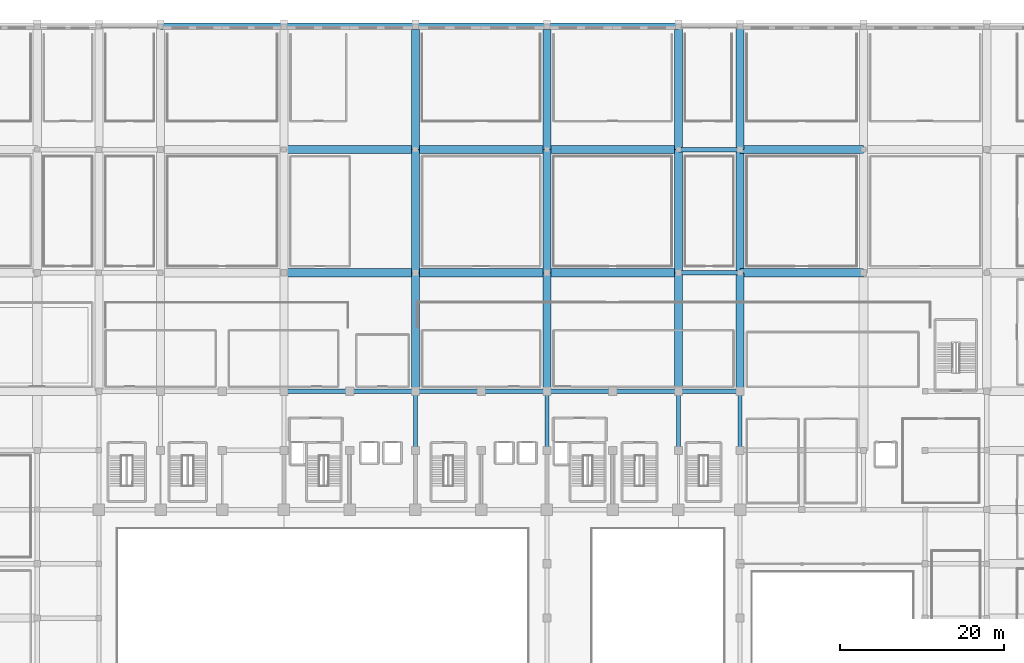
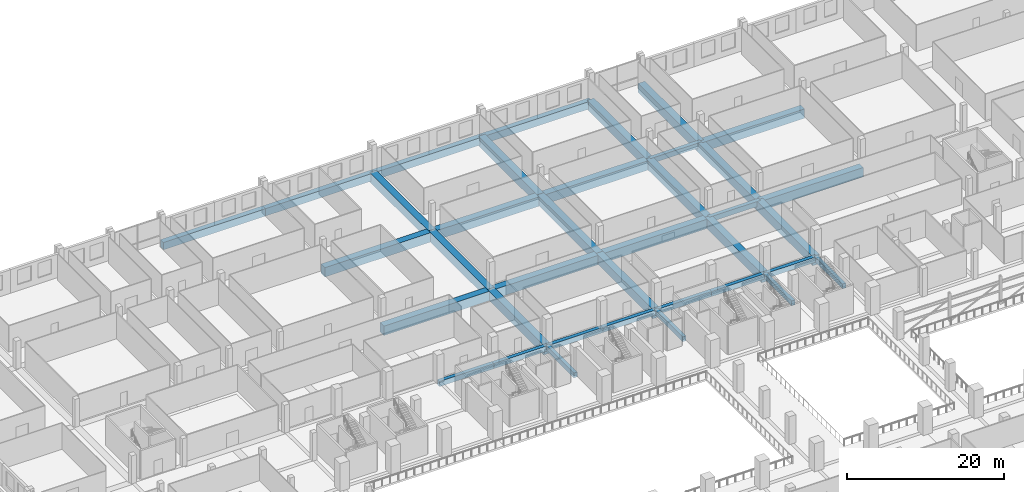
# One storey, part 29 of 64: 37 beams.
"""IFC4 building model written with IfcOpenShell, lengths in metres."""

from ifc_helpers import new_model, si_unit, direction, frame, origin, origin_2d, place, context, subcontext, project, spatial, rectangle, extrude, material, material_profile, profile_set, type_object, element, save


model = new_model("IFC4")

# Units and contexts
model_context = context("Model", 3, precision=1e-05, world=origin(), true_north=direction((0.0, 1.0)))
body_context = subcontext(model_context, "Body", "Model", "MODEL_VIEW")
ifc_project = project(units=[si_unit("LENGTHUNIT", "METRE"), si_unit("AREAUNIT", "SQUARE_METRE"), si_unit("VOLUMEUNIT", "CUBIC_METRE"), si_unit("PLANEANGLEUNIT", "RADIAN"), si_unit("MASSUNIT", "GRAM", prefix="KILO")], contexts=[model_context])

# Site, building, storey
site_placement = place(None, origin())
site = spatial("IfcSite", under=ifc_project, at=site_placement, CompositionType="ELEMENT")
building_placement = place(site_placement, origin())
building = spatial("IfcBuilding", under=site, at=building_placement, Name="Akrevak Sports Hall", CompositionType="ELEMENT")
storey_placement = place(building_placement, frame((0.0, 0.0, 4.60009765625)))
storey = spatial("IfcBuildingStorey", under=building, at=storey_placement, Name="L01", CompositionType="ELEMENT", Elevation=4.60009765625)

# Beams
ifc_material_1 = material(Name="Concrete C50/60", Category="concrete")
ifc_material_profile_1 = material_profile(ifc_material_1, rectangle(XDim=1.0, YDim=1.449951171875, at=origin_2d()), Name="BM 1000x1450", Category="concrete")
ifc_profile_set_1 = profile_set([ifc_material_profile_1], Name="Concrete C50/60")
beam_type_1 = type_object("IfcBeamType", Name="STR-BM-LG1000x1450", PredefinedType="BEAM", material=ifc_profile_set_1)
for number, where, z_axis, x_axis, name in (
    (1, (60.0, 84.0, -0.72509765625), (1.0, 0.0, 0.0), (0.0, 1.0, 0.0), "Girder M/9-11 (L01)"),
    (2, (76.0, 84.0, -0.72509765625), (1.0, 0.0, 0.0), (0.0, 1.0, 0.0), "Girder M/11-13 (L01)"),
    (3, (92.0, 84.0, -0.72509765625), (1.0, 0.0, 0.0), (0.0, 1.0, 0.0), "Girder M/13-15 (L01)"),
):
    element("IfcBeam", number, at=place(storey_placement, frame(where, z_axis=z_axis, x_axis=x_axis)), inside=storey, type_object=beam_type_1, Name=name, PredefinedType="BEAM", context=body_context, shape_type="SweptSolid", body=[
        extrude(rectangle(XDim=1.0, YDim=1.449951171875, at=origin_2d()), origin(), (0.0, 0.0, 1.0), 16.0),
    ])
beam_1_placement = place(storey_placement, frame((115.5, 84.0, -0.72509765625), z_axis=(1.0, 0.0, 0.0), x_axis=(0.0, 1.0, 0.0)))
element("IfcBeam", 4, at=beam_1_placement, inside=storey, type_object=beam_type_1, Name="Girder M/16-18 (L01)", PredefinedType="BEAM", context=body_context, shape_type="SweptSolid", body=[
    extrude(rectangle(XDim=1.0, YDim=1.449951171875, at=origin_2d()), origin(), (0.0, 0.0, 1.0), 15.0),
])
for number, where, z_axis, x_axis, name in (
    (5, (60.0, 99.0, -0.72509765625), (1.0, 0.0, 0.0), (0.0, 1.0, 0.0), "Girder O/9-11 (L01)"),
    (6, (76.0, 99.0, -0.72509765625), (1.0, 0.0, 0.0), (0.0, 1.0, 0.0), "Girder O/11-13 (L01)"),
    (7, (92.0, 99.0, -0.72509765625), (1.0, 0.0, 0.0), (0.0, 1.0, 0.0), "Girder O/13-15 (L01)"),
):
    element("IfcBeam", number, at=place(storey_placement, frame(where, z_axis=z_axis, x_axis=x_axis)), inside=storey, type_object=beam_type_1, Name=name, PredefinedType="BEAM", context=body_context, shape_type="SweptSolid", body=[
        extrude(rectangle(XDim=1.0, YDim=1.449951171875, at=origin_2d()), origin(), (0.0, 0.0, 1.0), 16.0),
    ])
beam_2_placement = place(storey_placement, frame((115.5, 99.0, -0.72509765625), z_axis=(1.0, 0.0, 0.0), x_axis=(0.0, 1.0, 0.0)))
element("IfcBeam", 8, at=beam_2_placement, inside=storey, type_object=beam_type_1, Name="Girder O/16-18 (L01)", PredefinedType="BEAM", context=body_context, shape_type="SweptSolid", body=[
    extrude(rectangle(XDim=1.0, YDim=1.449951171875, at=origin_2d()), origin(), (0.0, 0.0, 1.0), 15.0),
])
beam_3_placement = place(storey_placement, frame((76.0, 69.60009765625, -0.72509765625), z_axis=(0.0, 1.0, 0.0), x_axis=(-1.0, 0.0, 0.0)))
element("IfcBeam", 9, at=beam_3_placement, inside=storey, type_object=beam_type_1, Name="Girder 11/K-M (L01)", PredefinedType="BEAM", context=body_context, shape_type="SweptSolid", body=[
    extrude(rectangle(XDim=1.0, YDim=1.449951171875, at=origin_2d()), origin(), (0.0, 0.0, 1.0), 14.39990234375),
])
for number, where, z_axis, x_axis, name in (
    (10, (76.0, 84.0, -0.72509765625), (0.0, 1.0, 0.0), (-1.0, 0.0, 0.0), "Girder 11/M-O (L01)"),
    (11, (76.0, 99.0, -0.72509765625), (0.0, 1.0, 0.0), (-1.0, 0.0, 0.0), "Girder 11/O-Q (L01)"),
):
    element("IfcBeam", number, at=place(storey_placement, frame(where, z_axis=z_axis, x_axis=x_axis)), inside=storey, type_object=beam_type_1, Name=name, PredefinedType="BEAM", context=body_context, shape_type="SweptSolid", body=[
        extrude(rectangle(XDim=1.0, YDim=1.449951171875, at=origin_2d()), origin(), (0.0, 0.0, 1.0), 15.0),
    ])
beam_4_placement = place(storey_placement, frame((92.0, 69.60009765625, -0.72509765625), z_axis=(0.0, 1.0, 0.0), x_axis=(-1.0, 0.0, 0.0)))
element("IfcBeam", 12, at=beam_4_placement, inside=storey, type_object=beam_type_1, Name="Girder 13/K-M (L01)", PredefinedType="BEAM", context=body_context, shape_type="SweptSolid", body=[
    extrude(rectangle(XDim=1.0, YDim=1.449951171875, at=origin_2d()), origin(), (0.0, 0.0, 1.0), 14.39990234375),
])
for number, where, z_axis, x_axis, name in (
    (13, (92.0, 84.0, -0.72509765625), (0.0, 1.0, 0.0), (-1.0, 0.0, 0.0), "Girder 13/M-O (L01)"),
    (14, (92.0, 99.0, -0.72509765625), (0.0, 1.0, 0.0), (-1.0, 0.0, 0.0), "Girder 13/O-Q (L01)"),
):
    element("IfcBeam", number, at=place(storey_placement, frame(where, z_axis=z_axis, x_axis=x_axis)), inside=storey, type_object=beam_type_1, Name=name, PredefinedType="BEAM", context=body_context, shape_type="SweptSolid", body=[
        extrude(rectangle(XDim=1.0, YDim=1.449951171875, at=origin_2d()), origin(), (0.0, 0.0, 1.0), 15.0),
    ])
beam_5_placement = place(storey_placement, frame((108.0, 69.60009765625, -0.72509765625), z_axis=(0.0, 1.0, 0.0), x_axis=(-1.0, 0.0, 0.0)))
element("IfcBeam", 15, at=beam_5_placement, inside=storey, type_object=beam_type_1, Name="Girder 15/K-M (L01)", PredefinedType="BEAM", context=body_context, shape_type="SweptSolid", body=[
    extrude(rectangle(XDim=1.0, YDim=1.449951171875, at=origin_2d()), origin(), (0.0, 0.0, 1.0), 14.39990234375),
])
for number, where, z_axis, x_axis, name in (
    (16, (108.0, 84.0, -0.72509765625), (0.0, 1.0, 0.0), (-1.0, 0.0, 0.0), "Girder 15/M-O (L01)"),
    (17, (108.0, 99.0, -0.72509765625), (0.0, 1.0, 0.0), (-1.0, 0.0, 0.0), "Girder 15/O-Q (L01)"),
):
    element("IfcBeam", number, at=place(storey_placement, frame(where, z_axis=z_axis, x_axis=x_axis)), inside=storey, type_object=beam_type_1, Name=name, PredefinedType="BEAM", context=body_context, shape_type="SweptSolid", body=[
        extrude(rectangle(XDim=1.0, YDim=1.449951171875, at=origin_2d()), origin(), (0.0, 0.0, 1.0), 15.0),
    ])
beam_6_placement = place(storey_placement, frame((115.5, 69.60009765625, -0.72509765625), z_axis=(0.0, 1.0, 0.0), x_axis=(-1.0, 0.0, 0.0)))
element("IfcBeam", 18, at=beam_6_placement, inside=storey, type_object=beam_type_1, Name="Girder 16/K-M (L01)", PredefinedType="BEAM", context=body_context, shape_type="SweptSolid", body=[
    extrude(rectangle(XDim=1.0, YDim=1.449951171875, at=origin_2d()), origin(), (0.0, 0.0, 1.0), 14.39990234375),
])
for number, where, z_axis, x_axis, name in (
    (19, (115.5, 84.0, -0.72509765625), (0.0, 1.0, 0.0), (-1.0, 0.0, 0.0), "Girder 16/M-O (L01)"),
    (20, (115.5, 99.0, -0.72509765625), (0.0, 1.0, 0.0), (-1.0, 0.0, 0.0), "Girder 16/O-Q (L01)"),
):
    element("IfcBeam", number, at=place(storey_placement, frame(where, z_axis=z_axis, x_axis=x_axis)), inside=storey, type_object=beam_type_1, Name=name, PredefinedType="BEAM", context=body_context, shape_type="SweptSolid", body=[
        extrude(rectangle(XDim=1.0, YDim=1.449951171875, at=origin_2d()), origin(), (0.0, 0.0, 1.0), 15.0),
    ])
ifc_material_2 = material(Name="Concrete C40/50", Category="concrete")
ifc_material_profile_2 = material_profile(ifc_material_2, rectangle(XDim=0.5, YDim=0.75, at=origin_2d()), Name="BM 500x750", Category="concrete")
ifc_profile_set_2 = profile_set([ifc_material_profile_2], Name="Concrete C40/50")
beam_type_2 = type_object("IfcBeamType", Name="STR-BM-RC500x750", PredefinedType="BEAM", material=ifc_profile_set_2)
for number, where, z_axis, x_axis, name in (
    (21, (76.0, 62.39990234375, -0.375), (0.0, 1.0, 0.0), (-1.0, 0.0, 0.0), "Girder 11/J-K (L01)"),
    (22, (92.0, 62.39990234375, -0.375), (0.0, 1.0, 0.0), (-1.0, 0.0, 0.0), "Girder 13/J-K (L01)"),
    (23, (108.0, 62.39990234375, -0.375), (0.0, 1.0, 0.0), (-1.0, 0.0, 0.0), "Girder 15/J-K (L01)"),
    (24, (115.5, 62.39990234375, -0.375), (0.0, 1.0, 0.0), (-1.0, 0.0, 0.0), "Girder 16/J-K (L01)"),
):
    element("IfcBeam", number, at=place(storey_placement, frame(where, z_axis=z_axis, x_axis=x_axis)), inside=storey, type_object=beam_type_2, Name=name, PredefinedType="BEAM", context=body_context, shape_type="SweptSolid", body=[
        extrude(rectangle(XDim=0.5, YDim=0.75, at=origin_2d()), origin(), (0.0, 0.0, 1.0), 7.2001953125),
    ])
ifc_material_profile_3 = material_profile(ifc_material_2, rectangle(XDim=0.550048828125, YDim=0.800048828125, at=origin_2d()), Name="BM 550x800", Category="concrete")
ifc_profile_set_3 = profile_set([ifc_material_profile_3], Name="Concrete C40/50")
beam_type_3 = type_object("IfcBeamType", Name="STR-BM-RC550x800", PredefinedType="BEAM", material=ifc_profile_set_3)
for number, where, z_axis, x_axis, name in (
    (25, (60.0, 69.60009765625, -0.400146484375), (1.0, 0.0, 0.0), (0.0, 1.0, 0.0), "Girder K/9-10 (L01)"),
    (26, (68.0, 69.60009765625, -0.400146484375), (1.0, 0.0, 0.0), (0.0, 1.0, 0.0), "Girder K/10-11 (L01)"),
    (27, (76.0, 69.60009765625, -0.400146484375), (1.0, 0.0, 0.0), (0.0, 1.0, 0.0), "Girder K/11-12 (L01)"),
    (28, (84.0, 69.60009765625, -0.400146484375), (1.0, 0.0, 0.0), (0.0, 1.0, 0.0), "Girder K/12-13 (L01)"),
    (29, (92.0, 69.60009765625, -0.400146484375), (1.0, 0.0, 0.0), (0.0, 1.0, 0.0), "Girder K/13-14 (L01)"),
    (30, (100.0, 69.60009765625, -0.400146484375), (1.0, 0.0, 0.0), (0.0, 1.0, 0.0), "Girder K/14-15 (L01)"),
):
    element("IfcBeam", number, at=place(storey_placement, frame(where, z_axis=z_axis, x_axis=x_axis)), inside=storey, type_object=beam_type_3, Name=name, PredefinedType="BEAM", context=body_context, shape_type="SweptSolid", body=[
        extrude(rectangle(XDim=0.550048828125, YDim=0.800048828125, at=origin_2d()), origin(), (0.0, 0.0, 1.0), 8.0),
    ])
for number, where, z_axis, x_axis, name in (
    (31, (108.0, 69.60009765625, -0.400146484375), (1.0, 0.0, 0.0), (0.0, 1.0, 0.0), "Girder K/15-16 (L01)"),
    (32, (108.0, 84.0, -0.400146484375), (1.0, 0.0, 0.0), (0.0, 1.0, 0.0), "Girder M/15-16 (L01)"),
    (33, (108.0, 99.0, -0.400146484375), (1.0, 0.0, 0.0), (0.0, 1.0, 0.0), "Girder O/15-16 (L01)"),
):
    element("IfcBeam", number, at=place(storey_placement, frame(where, z_axis=z_axis, x_axis=x_axis)), inside=storey, type_object=beam_type_3, Name=name, PredefinedType="BEAM", context=body_context, shape_type="SweptSolid", body=[
        extrude(rectangle(XDim=0.550048828125, YDim=0.800048828125, at=origin_2d()), origin(), (0.0, 0.0, 1.0), 7.5),
    ])
ifc_material_profile_4 = material_profile(ifc_material_1, rectangle(XDim=0.75, YDim=1.14990234375, at=origin_2d()), Name="SPD 750x1150", Category="concrete")
ifc_profile_set_4 = profile_set([ifc_material_profile_4], Name="Concrete C50/60")
beam_type_4 = type_object("IfcBeamType", Name="STR-SPD-LSP750x1150", PredefinedType="SPANDREL", material=ifc_profile_set_4)
beam_7_placement = place(storey_placement, frame((45.0, 114.0, -0.5751953125), z_axis=(1.0, 0.0, 0.0), x_axis=(0.0, 1.0, 0.0)))
element("IfcBeam", 34, at=beam_7_placement, inside=storey, type_object=beam_type_4, Name="Girder Q/7-9 (L01)", PredefinedType="SPANDREL", context=body_context, shape_type="SweptSolid", body=[
    extrude(rectangle(XDim=0.75, YDim=1.14990234375, at=origin_2d()), origin(), (0.0, 0.0, 1.0), 15.0),
])
for number, where, z_axis, x_axis, name in (
    (35, (60.0, 114.0, -0.5751953125), (1.0, 0.0, 0.0), (0.0, 1.0, 0.0), "Girder Q/9-11 (L01)"),
    (36, (76.0, 114.0, -0.5751953125), (1.0, 0.0, 0.0), (0.0, 1.0, 0.0), "Girder Q/11-13 (L01)"),
    (37, (92.0, 114.0, -0.5751953125), (1.0, 0.0, 0.0), (0.0, 1.0, 0.0), "Girder Q/13-15 (L01)"),
):
    element("IfcBeam", number, at=place(storey_placement, frame(where, z_axis=z_axis, x_axis=x_axis)), inside=storey, type_object=beam_type_4, Name=name, PredefinedType="SPANDREL", context=body_context, shape_type="SweptSolid", body=[
        extrude(rectangle(XDim=0.75, YDim=1.14990234375, at=origin_2d()), origin(), (0.0, 0.0, 1.0), 16.0),
    ])

save(model, "model.ifc")
